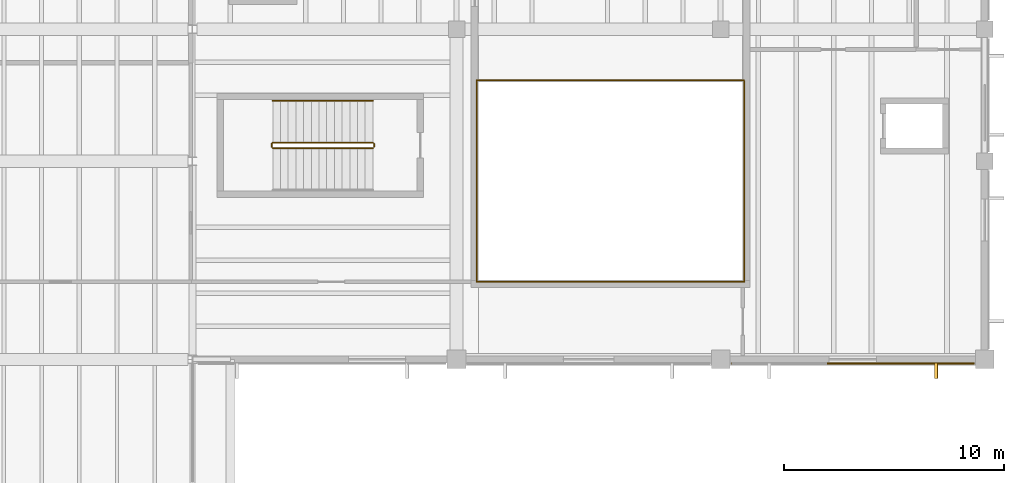
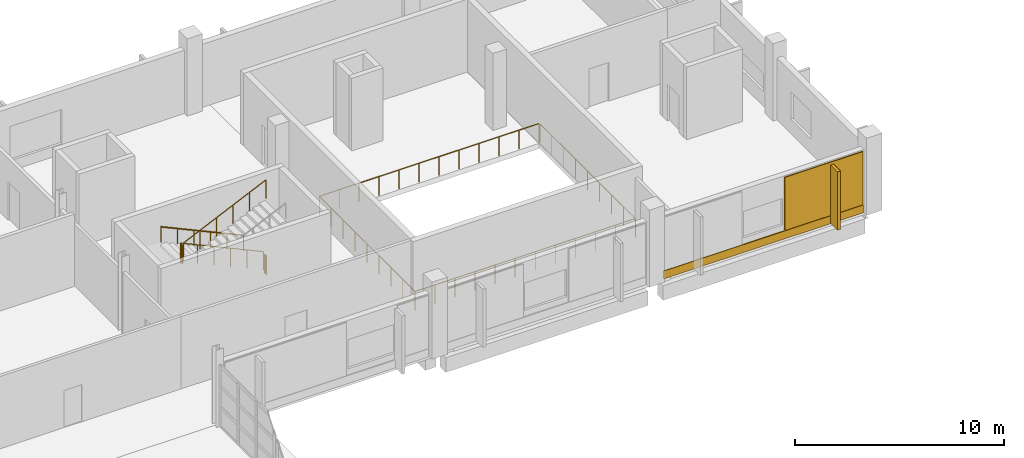
# One storey, part 113 of 114: 7 railings, 3 coverings, 1 shading device.
"""IFC4 building model written with IfcOpenShell, lengths in metres."""

import ifcopenshell
import ifcopenshell.guid

model = None  # the IFC model being written
_history = None  # IfcOwnerHistory: only IFC2X3 demands one
_inside = {}  # id of a spatial element -> (the spatial element, [elements in it])
_under = {}  # id of a project, library or spatial element -> (it, [spatial elements below it])
_declared = {}  # id of a project -> (the project, [libraries it declares])
_typed = {}  # id of a type object -> (the type object, [elements of that type])
_made_of = {}  # id of a material, layer set ... -> (it, [elements and type objects made of it])


def new_model(schema):
    """Start an empty IFC model of exactly this schema.

    Asked for "IFC4X3", IfcOpenShell would pick the latest addendum, in which some entities
    have other attributes; the version numbers below select the first issue.
    IFC2X3 requires an IfcOwnerHistory on every rooted entity: one is made here for all.
    """
    global model, _history
    if schema == "IFC4X3":
        model = ifcopenshell.file(schema_version=(4, 3, 0, 0))
    else:
        model = ifcopenshell.file(schema=schema)
    _inside.clear()
    _under.clear()
    _declared.clear()
    _typed.clear()
    _made_of.clear()
    _history = None
    if model.schema == "IFC2X3":
        org = make("IfcOrganization", Name="unknown")
        user = make(
            "IfcPersonAndOrganization",
            ThePerson=make("IfcPerson", FamilyName="unknown"),
            TheOrganization=org,
        )
        app = make(
            "IfcApplication",
            ApplicationDeveloper=org,
            Version="unknown",
            ApplicationFullName="unknown",
            ApplicationIdentifier="unknown",
        )
        _history = make(
            "IfcOwnerHistory",
            OwningUser=user,
            OwningApplication=app,
            ChangeAction="ADDED",
            CreationDate=0,
        )
    return model


def make(cls, **values):
    """One entity of the class cls with the attributes given. An attribute that is None is left unset."""
    return model.create_entity(
        cls, **{name: value for name, value in values.items() if value is not None}
    )


def rooted(cls, **values):
    """An entity with a GlobalId (a new one), such as an element, a storey or a relation."""
    return make(cls, GlobalId=ifcopenshell.guid.new(), OwnerHistory=_history, **values)


def si_unit(unit_type, name, prefix=None):
    """IfcSIUnit, for example si_unit("LENGTHUNIT", "METRE", prefix="MILLI")."""
    return make("IfcSIUnit", UnitType=unit_type, Prefix=prefix, Name=name)


def assignment(units):
    """IfcUnitAssignment: the units of a project."""
    return None if units is None else make("IfcUnitAssignment", Units=units)


def point(xyz):
    """IfcCartesianPoint."""
    return None if xyz is None else make("IfcCartesianPoint", Coordinates=xyz)


def direction(xyz):
    """IfcDirection."""
    return None if xyz is None else make("IfcDirection", DirectionRatios=xyz)


def frame(location, z_axis=None, x_axis=None):
    """IfcAxis2Placement3D, a coordinate frame: its origin and axes. An axis left out is left unset."""
    return make(
        "IfcAxis2Placement3D",
        Location=point(location),
        Axis=direction(z_axis),
        RefDirection=direction(x_axis),
    )


def frame_2d(location, x_axis=None):
    """IfcAxis2Placement2D, a coordinate frame in the plane: its origin and x axis."""
    return make(
        "IfcAxis2Placement2D", Location=point(location), RefDirection=direction(x_axis)
    )


def origin():
    """The frame at (0, 0, 0) with its axes left unset."""
    return frame((0.0, 0.0, 0.0))


def origin_2d():
    """The frame at (0, 0) in the plane with its x axis left unset."""
    return frame_2d((0.0, 0.0))


def place(relative_to, where):
    """IfcLocalPlacement: puts the frame where relative to a parent placement (None: the world)."""
    return make(
        "IfcLocalPlacement", PlacementRelTo=relative_to, RelativePlacement=where
    )


def context(
    kind, dimensions, precision=None, world=None, true_north=None, identifier=None
):
    """IfcGeometricRepresentationContext, for example the 3D "Model" context."""
    return make(
        "IfcGeometricRepresentationContext",
        ContextIdentifier=identifier,
        ContextType=kind,
        CoordinateSpaceDimension=dimensions,
        Precision=precision,
        WorldCoordinateSystem=world,
        TrueNorth=true_north,
    )


def subcontext(parent, identifier, kind, view, scale=None):
    """IfcGeometricRepresentationSubContext, for example "Body" below "Model"."""
    return make(
        "IfcGeometricRepresentationSubContext",
        ContextIdentifier=identifier,
        ContextType=kind,
        ParentContext=parent,
        TargetScale=scale,
        TargetView=view,
    )


def project(units=None, contexts=None):
    """IfcProject with its units and contexts."""
    return rooted(
        "IfcProject",
        Name="project",
        RepresentationContexts=contexts,
        UnitsInContext=assignment(units),
    )


def spatial(cls, under=None, at=None, **own):
    """A site, building, storey or space (cls), placed at a placement, below another one or the project."""
    s = rooted(cls, ObjectPlacement=at, **own)
    if under is not None:
        _under.setdefault(under.id(), (under, []))[1].append(s)
    return s


def profile(cls, at=None, kind="AREA", **sizes):
    """A parametric profile (cls). Its sizes go by their IFC names, for example OverallWidth=200.0."""
    return make(cls, ProfileType=kind, Position=at, **sizes)


def rectangle(**sizes):
    """IfcRectangleProfileDef."""
    return profile("IfcRectangleProfileDef", **sizes)


def circle(**sizes):
    """IfcCircleProfileDef."""
    return profile("IfcCircleProfileDef", **sizes)


def extrude(swept, where, along, depth):
    """IfcExtrudedAreaSolid: the profile swept, set in the frame where, extruded along a direction by depth."""
    return make(
        "IfcExtrudedAreaSolid",
        SweptArea=swept,
        Position=where,
        ExtrudedDirection=direction(along),
        Depth=depth,
    )


def shape(context_of_items, identifier, shape_type, items):
    """IfcShapeRepresentation: the items that make up one representation, for example the "Body"."""
    return make(
        "IfcShapeRepresentation",
        ContextOfItems=context_of_items,
        RepresentationIdentifier=identifier,
        RepresentationType=shape_type,
        Items=items,
    )


def material(Name=None, Category=None):
    """IfcMaterial."""
    return make("IfcMaterial", Name=Name, Category=Category)


def layer(
    of_material, thickness, ventilated=None, Name=None, Category=None, Priority=None
):
    """IfcMaterialLayer: one layer of a wall or slab, of a material (None: an air gap)."""
    return make(
        "IfcMaterialLayer",
        Material=of_material,
        LayerThickness=thickness,
        IsVentilated=ventilated,
        Name=Name,
        Category=Category,
        Priority=Priority,
    )


def layer_set(layers, Name=None):
    """IfcMaterialLayerSet."""
    return make("IfcMaterialLayerSet", MaterialLayers=layers, LayerSetName=Name)


def made_of(thing, what):
    """Note that an element or type object is made of a material, layer set ...; save() writes the relation."""
    if what is not None:
        _made_of.setdefault(what.id(), (what, []))[1].append(thing)
    return thing


def type_object(cls, material=None, **own):
    """A type object (cls), such as IfcWallType, which elements share."""
    return made_of(rooted(cls, **own), material)


def element(
    cls,
    number,
    at=None,
    inside=None,
    cuts=None,
    type_object=None,
    material=None,
    context=None,
    identifier="Body",
    shape_type=None,
    held_by="IfcProductDefinitionShape",
    body=None,
    shapes=None,
    **own,
):
    """One element of the class cls, such as IfcWall. Its Tag is "e" and its number.

    at: its placement. inside: the storey or other place that contains it. cuts: it is an
    opening in that element (IfcRelVoidsElement). A single representation is given by context,
    identifier, shape_type and body (its items); several are given by shapes. held_by: the class
    of the entity that holds the representations. save() writes the other relations.
    """
    e = rooted(cls, Tag="e%d" % number, ObjectPlacement=at, **own)
    if body is not None:
        shapes = [shape(context, identifier, shape_type, body)]
    if shapes is not None:
        e.Representation = make(held_by, Representations=shapes)
    if inside is not None:
        _inside.setdefault(inside.id(), (inside, []))[1].append(e)
    if cuts is not None:
        rooted(
            "IfcRelVoidsElement", RelatingBuildingElement=cuts, RelatedOpeningElement=e
        )
    if type_object is not None:
        _typed.setdefault(type_object.id(), (type_object, []))[1].append(e)
    return made_of(e, material)


def aggregate(whole, parts):
    """IfcRelAggregates: a whole, such as a stair, and the parts it consists of."""
    return rooted("IfcRelAggregates", RelatingObject=whole, RelatedObjects=parts)


def save(model, path):
    """Write the relations noted so far, then the file.

    IfcRelAggregates (storeys below a building ...), IfcRelContainedInSpatialStructure (elements
    in a storey), IfcRelDefinesByType, IfcRelAssociatesMaterial and IfcRelDeclares: one each for
    every whole, place, type object, material and project.
    """
    for whole, parts in _under.values():
        aggregate(whole, parts)
    for where, things in _inside.values():
        rooted(
            "IfcRelContainedInSpatialStructure",
            RelatedElements=things,
            RelatingStructure=where,
        )
    for kind, things in _typed.values():
        rooted("IfcRelDefinesByType", RelatedObjects=things, RelatingType=kind)
    for what, things in _made_of.values():
        rooted("IfcRelAssociatesMaterial", RelatedObjects=things, RelatingMaterial=what)
    for by, libraries in _declared.values():
        rooted("IfcRelDeclares", RelatingContext=by, RelatedDefinitions=libraries)
    model.write(path)


model = new_model("IFC4")

# Units and contexts
model_context = context("Model", 3, precision=1e-05, world=origin(), true_north=direction((0.0, 1.0)))
body_context = subcontext(model_context, "Body", "Model", "MODEL_VIEW")
ifc_project = project(units=[si_unit("LENGTHUNIT", "METRE"), si_unit("AREAUNIT", "SQUARE_METRE"), si_unit("VOLUMEUNIT", "CUBIC_METRE"), si_unit("PLANEANGLEUNIT", "RADIAN"), si_unit("MASSUNIT", "GRAM", prefix="KILO")], contexts=[model_context])

# Site, building, storey
site_placement = place(None, origin())
site = spatial("IfcSite", under=ifc_project, at=site_placement, CompositionType="ELEMENT")
building_placement = place(site_placement, origin())
building = spatial("IfcBuilding", under=site, at=building_placement, Name="Kelmvaro Bay Concert Hall", CompositionType="ELEMENT")
storey_placement = place(building_placement, frame((0.0, 0.0, 4.800048828125)))
storey = spatial("IfcBuildingStorey", under=building, at=storey_placement, Name="L01", CompositionType="ELEMENT", Elevation=4.800048828125)

# Railings
ifc_material_1 = material(Name="Architectural Bronze and Laminated Glass", Category="glass")
railing_type_1 = type_object("IfcRailingType", Name="Auditorium Balcony Acoustic Brass Guard 1120", PredefinedType="BALUSTRADE", material=ifc_material_1)
railing_1_placement = place(storey_placement, frame((144.919921875, 77.320068359375, 0.0)))
element("IfcRailing", 1, at=railing_1_placement, inside=storey, type_object=railing_type_1, Name="L01 Balcony Guard 014", PredefinedType="BALUSTRADE", context=body_context, shape_type="SweptSolid", body=[
    extrude(circle(Radius=0.02392578125, at=origin_2d()), frame((0.0, 0.0, 1.09619140625), z_axis=(1.0, 0.0, 0.0), x_axis=(0.0, 1.0, 0.0)), (0.0, 0.0, 1.0), 12.16015625),
    extrude(circle(Radius=0.02392578125, at=origin_2d()), frame((12.16015625, 0.0, 1.09619140625), z_axis=(0.0, 1.0, 0.0), x_axis=(-1.0, 0.0, 0.0)), (0.0, 0.0, 1.0), 9.1298828125),
    extrude(circle(Radius=0.02099609375, at=origin_2d()), origin(), (0.0, 0.0, 1.0), 1.072021484375),
    extrude(circle(Radius=0.02099609375, at=origin_2d()), frame((1.10546875, 0.0, 0.0)), (0.0, 0.0, 1.0), 1.072021484375),
    extrude(circle(Radius=0.02099609375, at=origin_2d()), frame((2.2109375, 0.0, 0.0)), (0.0, 0.0, 1.0), 1.072021484375),
    extrude(circle(Radius=0.02099609375, at=origin_2d()), frame((3.31640625, 0.0, 0.0)), (0.0, 0.0, 1.0), 1.072021484375),
    extrude(circle(Radius=0.02099609375, at=origin_2d()), frame((4.421875, 0.0, 0.0)), (0.0, 0.0, 1.0), 1.072021484375),
    extrude(circle(Radius=0.02099609375, at=origin_2d()), frame((5.52734375, 0.0, 0.0)), (0.0, 0.0, 1.0), 1.072021484375),
    extrude(circle(Radius=0.02099609375, at=origin_2d()), frame((6.6328125, 0.0, 0.0)), (0.0, 0.0, 1.0), 1.072021484375),
    extrude(circle(Radius=0.02099609375, at=origin_2d()), frame((7.73828125, 0.0, 0.0)), (0.0, 0.0, 1.0), 1.072021484375),
    extrude(circle(Radius=0.02099609375, at=origin_2d()), frame((8.84375, 0.0, 0.0)), (0.0, 0.0, 1.0), 1.072021484375),
    extrude(circle(Radius=0.02099609375, at=origin_2d()), frame((9.94921875, 0.0, 0.0)), (0.0, 0.0, 1.0), 1.072021484375),
    extrude(circle(Radius=0.02099609375, at=origin_2d()), frame((11.0546875, 0.0, 0.0)), (0.0, 0.0, 1.0), 1.072021484375),
    extrude(circle(Radius=0.02099609375, at=origin_2d()), frame((12.16015625, 0.0, 0.0)), (0.0, 0.0, 1.0), 1.072021484375),
    extrude(circle(Radius=0.02099609375, at=origin_2d()), frame((12.16015625, 1.14111328125, 0.0)), (0.0, 0.0, 1.0), 1.072021484375),
    extrude(circle(Radius=0.02099609375, at=origin_2d()), frame((12.16015625, 2.282470703125, 0.0)), (0.0, 0.0, 1.0), 1.072021484375),
    extrude(circle(Radius=0.02099609375, at=origin_2d()), frame((12.16015625, 3.423828125, 0.0)), (0.0, 0.0, 1.0), 1.072021484375),
    extrude(circle(Radius=0.02099609375, at=origin_2d()), frame((12.16015625, 4.56494140625, 0.0)), (0.0, 0.0, 1.0), 1.072021484375),
    extrude(circle(Radius=0.02099609375, at=origin_2d()), frame((12.16015625, 5.7060546875, 0.0)), (0.0, 0.0, 1.0), 1.072021484375),
    extrude(circle(Radius=0.02099609375, at=origin_2d()), frame((12.16015625, 6.847412109375, 0.0)), (0.0, 0.0, 1.0), 1.072021484375),
    extrude(circle(Radius=0.02099609375, at=origin_2d()), frame((12.16015625, 7.98876953125, 0.0)), (0.0, 0.0, 1.0), 1.072021484375),
    extrude(circle(Radius=0.02099609375, at=origin_2d()), frame((12.16015625, 9.1298828125, 0.0)), (0.0, 0.0, 1.0), 1.072021484375),
])
railing_2_placement = place(storey_placement, frame((157.050048828125, 86.47998046875, 0.0)))
element("IfcRailing", 2, at=railing_2_placement, inside=storey, type_object=railing_type_1, Name="L01 Balcony Guard 015", PredefinedType="BALUSTRADE", context=body_context, shape_type="SweptSolid", body=[
    extrude(circle(Radius=0.02392578125, at=origin_2d()), frame((0.0, 0.0, 1.09619140625), z_axis=(-1.0, 0.0, 0.0), x_axis=(0.0, -1.0, 0.0)), (0.0, 0.0, 1.0), 12.130126953125),
    extrude(circle(Radius=0.02392578125, at=origin_2d()), frame((-12.130126953125, 0.0, 1.09619140625), z_axis=(0.0, -1.0, 0.0), x_axis=(1.0, 0.0, 0.0)), (0.0, 0.0, 1.0), 9.1298828125),
    extrude(circle(Radius=0.02099609375, at=origin_2d()), origin(), (0.0, 0.0, 1.0), 1.072021484375),
    extrude(circle(Radius=0.02099609375, at=origin_2d()), frame((-1.102783203125, 0.0, 0.0)), (0.0, 0.0, 1.0), 1.072021484375),
    extrude(circle(Radius=0.02099609375, at=origin_2d()), frame((-2.20556640625, 0.0, 0.0)), (0.0, 0.0, 1.0), 1.072021484375),
    extrude(circle(Radius=0.02099609375, at=origin_2d()), frame((-3.30810546875, 0.0, 0.0)), (0.0, 0.0, 1.0), 1.072021484375),
    extrude(circle(Radius=0.02099609375, at=origin_2d()), frame((-4.410888671875, 0.0, 0.0)), (0.0, 0.0, 1.0), 1.072021484375),
    extrude(circle(Radius=0.02099609375, at=origin_2d()), frame((-5.513671875, 0.0, 0.0)), (0.0, 0.0, 1.0), 1.072021484375),
    extrude(circle(Radius=0.02099609375, at=origin_2d()), frame((-6.616455078125, 0.0, 0.0)), (0.0, 0.0, 1.0), 1.072021484375),
    extrude(circle(Radius=0.02099609375, at=origin_2d()), frame((-7.71923828125, 0.0, 0.0)), (0.0, 0.0, 1.0), 1.072021484375),
    extrude(circle(Radius=0.02099609375, at=origin_2d()), frame((-8.822021484375, 0.0, 0.0)), (0.0, 0.0, 1.0), 1.072021484375),
    extrude(circle(Radius=0.02099609375, at=origin_2d()), frame((-9.924560546875, 0.0, 0.0)), (0.0, 0.0, 1.0), 1.072021484375),
    extrude(circle(Radius=0.02099609375, at=origin_2d()), frame((-11.02734375, 0.0, 0.0)), (0.0, 0.0, 1.0), 1.072021484375),
    extrude(circle(Radius=0.02099609375, at=origin_2d()), frame((-12.130126953125, 0.0, 0.0)), (0.0, 0.0, 1.0), 1.072021484375),
    extrude(circle(Radius=0.02099609375, at=origin_2d()), frame((-12.130126953125, -1.14111328125, 0.0)), (0.0, 0.0, 1.0), 1.072021484375),
    extrude(circle(Radius=0.02099609375, at=origin_2d()), frame((-12.130126953125, -2.282470703125, 0.0)), (0.0, 0.0, 1.0), 1.072021484375),
    extrude(circle(Radius=0.02099609375, at=origin_2d()), frame((-12.130126953125, -3.423828125, 0.0)), (0.0, 0.0, 1.0), 1.072021484375),
    extrude(circle(Radius=0.02099609375, at=origin_2d()), frame((-12.130126953125, -4.56494140625, 0.0)), (0.0, 0.0, 1.0), 1.072021484375),
    extrude(circle(Radius=0.02099609375, at=origin_2d()), frame((-12.130126953125, -5.7060546875, 0.0)), (0.0, 0.0, 1.0), 1.072021484375),
    extrude(circle(Radius=0.02099609375, at=origin_2d()), frame((-12.130126953125, -6.847412109375, 0.0)), (0.0, 0.0, 1.0), 1.072021484375),
    extrude(circle(Radius=0.02099609375, at=origin_2d()), frame((-12.130126953125, -7.98876953125, 0.0)), (0.0, 0.0, 1.0), 1.072021484375),
    extrude(circle(Radius=0.02099609375, at=origin_2d()), frame((-12.130126953125, -9.1298828125, 0.0)), (0.0, 0.0, 1.0), 1.072021484375),
])

# Shading device
ifc_material_2 = material(Name="Anodised Extruded Aluminium 6063-T6", Category="aluminium")
ifc_layer_1 = layer(ifc_material_2, 3.39990234375)
ifc_layer_set_1 = layer_set([ifc_layer_1], Name="Anodised Extruded Aluminium 6063-T6")
shading_device_type = type_object("IfcShadingDeviceType", Name="Bauhaus Vertical Solar Brise-Soleil Fin 720x3400", PredefinedType="SHUTTER", material=ifc_layer_set_1)
shading_device_placement = place(storey_placement, frame((165.791015625, 73.283935546875, 0.06005859375), z_axis=(0.0, 0.0, 1.0), x_axis=(-1.0, 0.0, 0.0)))
element("IfcShadingDevice", 3, at=shading_device_placement, inside=storey, type_object=shading_device_type, Name="L01 Solar Brise-Soleil Fin 049", PredefinedType="SHUTTER", context=body_context, shape_type="SweptSolid", body=[
    extrude(rectangle(XDim=0.159912109375, YDim=0.719970703125, at=origin_2d()), origin(), (0.0, 0.0, 1.0), 3.39990234375),
])

# Coverings
ifc_material_3 = material(Name="PVDF-Coated Architectural Aluminium", Category="aluminium")
ifc_layer_2 = layer(ifc_material_3, 0.0400390625)
ifc_layer_set_2 = layer_set([ifc_layer_2], Name="PVDF-Coated Architectural Aluminium")
covering_type_1 = type_object("IfcCoveringType", Name="De Stijl Enamelled Aluminium Fascia Panel 40", PredefinedType="CLADDING", material=ifc_layer_set_2)
covering_1_placement = place(storey_placement, frame((165.791015625, 73.283935546875, 0.06005859375), z_axis=(0.0, 0.0, 1.0), x_axis=(-1.0, 0.0, 0.0)))
element("IfcCovering", 4, at=covering_1_placement, inside=storey, type_object=covering_type_1, Name="L01 Architectural Vertical Fin Cladding 0329", PredefinedType="CLADDING", context=body_context, shape_type="SweptSolid", body=[
    extrude(rectangle(XDim=0.139892578125, YDim=0.699951171875, at=origin_2d()), origin(), (0.0, 0.0, 1.0), 3.39990234375),
])
ifc_material_4 = material(Name="Honed Florida Limestone Travertine", Category="masonry")
ifc_layer_3 = layer(ifc_material_4, 0.054931640625)
ifc_layer_set_3 = layer_set([ifc_layer_3], Name="Honed Florida Limestone Travertine")
covering_type_2 = type_object("IfcCoveringType", Name="Honed Florida Travertine Rainscreen Cladding 55", PredefinedType="CLADDING", material=ifc_layer_set_3)
covering_2_placement = place(storey_placement, frame((162.0, 73.614501953125, 0.0400390625), z_axis=(0.0, 0.0, 1.0), x_axis=(-1.0, 0.0, 0.0)))
element("IfcCovering", 5, at=covering_2_placement, inside=storey, type_object=covering_type_2, Name="L01 Travertine Sill Band 0328", PredefinedType="CLADDING", context=body_context, shape_type="SweptSolid", body=[
    extrude(rectangle(XDim=11.030029296875, YDim=0.054931640625, at=origin_2d()), origin(), (0.0, 0.0, 1.0), 0.4599609375),
])
covering_3_placement = place(storey_placement, frame((165.3349609375, 73.614501953125, 0.52001953125), z_axis=(0.0, 0.0, 1.0), x_axis=(-1.0, 0.0, 0.0)))
element("IfcCovering", 6, at=covering_3_placement, inside=storey, type_object=covering_type_2, Name="L01 Travertine Pier Panel 0331", PredefinedType="CLADDING", context=body_context, shape_type="SweptSolid", body=[
    extrude(rectangle(XDim=4.320068359375, YDim=0.054931640625, at=origin_2d()), origin(), (0.0, 0.0, 1.0), 3.10400390625),
])

# Railings
ifc_material_5 = material(Name="Brushed Stainless Steel 316", Category="steel")
railing_type_2 = type_object("IfcRailingType", Name="Stair Stainless Wall Handrail 900", PredefinedType="HANDRAIL", material=ifc_material_5)
railing_3_placement = place(storey_placement, frame((140.199951171875, 85.550048828125, 0.16064453125)))
element("IfcRailing", 7, at=railing_3_placement, inside=storey, type_object=railing_type_2, Name="L01 ST-07 stair handrail 1", PredefinedType="HANDRAIL", context=body_context, shape_type="SweptSolid", body=[
    extrude(circle(Radius=0.02392578125, at=origin_2d()), frame((0.0, 0.0, 0.8759765625), z_axis=(-0.908768316152, 0.0, 0.417301027506), x_axis=(0.0, -1.0, 0.0)), (0.0, 0.0, 1.0), 5.0068359375),
    extrude(circle(Radius=0.02099609375, at=origin_2d()), origin(), (0.0, 0.0, 1.0), 0.851806640625),
    extrude(circle(Radius=0.02099609375, at=origin_2d()), frame((-0.909912109375, 0.0, 0.41796875)), (0.0, 0.0, 1.0), 0.851806640625),
    extrude(circle(Radius=0.02099609375, at=origin_2d()), frame((-1.820068359375, 0.0, 0.835693359375)), (0.0, 0.0, 1.0), 0.851806640625),
    extrude(circle(Radius=0.02099609375, at=origin_2d()), frame((-2.72998046875, 0.0, 1.253662109375)), (0.0, 0.0, 1.0), 0.851806640625),
    extrude(circle(Radius=0.02099609375, at=origin_2d()), frame((-3.64013671875, 0.0, 1.67138671875)), (0.0, 0.0, 1.0), 0.851806640625),
    extrude(circle(Radius=0.02099609375, at=origin_2d()), frame((-4.550048828125, 0.0, 2.08935546875)), (0.0, 0.0, 1.0), 0.851806640625),
])
ifc_material_6 = material(Name="Powder-Coated Steel ASTM A500", Category="steel")
railing_type_3 = type_object("IfcRailingType", Name="Stair Well Painted Steel Guard 1100", PredefinedType="BALUSTRADE", material=ifc_material_6)
railing_4_placement = place(storey_placement, frame((140.199951171875, 83.64990234375, 0.16064453125)))
element("IfcRailing", 8, at=railing_4_placement, inside=storey, type_object=railing_type_3, Name="L01 ST-07 stair guard 1", PredefinedType="BALUSTRADE", context=body_context, shape_type="SweptSolid", body=[
    extrude(circle(Radius=0.02392578125, at=origin_2d()), frame((0.0, 0.0, 1.076171875), z_axis=(-0.908768316152, 0.0, 0.417301027506), x_axis=(0.0, -1.0, 0.0)), (0.0, 0.0, 1.0), 5.0068359375),
    extrude(circle(Radius=0.02099609375, at=origin_2d()), origin(), (0.0, 0.0, 1.0), 1.052001953125),
    extrude(circle(Radius=0.02099609375, at=origin_2d()), frame((-0.909912109375, 0.0, 0.41796875)), (0.0, 0.0, 1.0), 1.052001953125),
    extrude(circle(Radius=0.02099609375, at=origin_2d()), frame((-1.820068359375, 0.0, 0.835693359375)), (0.0, 0.0, 1.0), 1.052001953125),
    extrude(circle(Radius=0.02099609375, at=origin_2d()), frame((-2.72998046875, 0.0, 1.253662109375)), (0.0, 0.0, 1.0), 1.052001953125),
    extrude(circle(Radius=0.02099609375, at=origin_2d()), frame((-3.64013671875, 0.0, 1.67138671875)), (0.0, 0.0, 1.0), 1.052001953125),
    extrude(circle(Radius=0.02099609375, at=origin_2d()), frame((-4.550048828125, 0.0, 2.08935546875)), (0.0, 0.0, 1.0), 1.052001953125),
])
railing_5_placement = place(storey_placement, frame((135.60009765625, 83.60009765625, 2.25)))
element("IfcRailing", 9, at=railing_5_placement, inside=storey, type_object=railing_type_3, Name="L01 ST-07 stair guard 2", PredefinedType="BALUSTRADE", context=body_context, shape_type="SweptSolid", body=[
    extrude(circle(Radius=0.02392578125, at=origin_2d()), frame((0.0, 0.0, 1.076171875), z_axis=(0.0, -1.0, 0.0), x_axis=(1.0, 0.0, 0.0)), (0.0, 0.0, 1.0), 0.150146484375),
    extrude(circle(Radius=0.02099609375, at=origin_2d()), origin(), (0.0, 0.0, 1.0), 1.052001953125),
    extrude(circle(Radius=0.02099609375, at=origin_2d()), frame((0.0, -0.150146484375, 0.0)), (0.0, 0.0, 1.0), 1.052001953125),
])
railing_6_placement = place(storey_placement, frame((135.64990234375, 83.39990234375, 2.41064453125)))
element("IfcRailing", 10, at=railing_6_placement, inside=storey, type_object=railing_type_3, Name="L01 ST-07 stair guard 3", PredefinedType="BALUSTRADE", context=body_context, shape_type="SweptSolid", body=[
    extrude(circle(Radius=0.02392578125, at=origin_2d()), frame((0.0, 0.0, 1.076171875), z_axis=(0.908768316152, 0.0, 0.417301027506), x_axis=(0.0, 1.0, 0.0)), (0.0, 0.0, 1.0), 5.0068359375),
    extrude(circle(Radius=0.02099609375, at=origin_2d()), origin(), (0.0, 0.0, 1.0), 1.052001953125),
    extrude(circle(Radius=0.02099609375, at=origin_2d()), frame((0.909912109375, 0.0, 0.41796875)), (0.0, 0.0, 1.0), 1.052001953125),
    extrude(circle(Radius=0.02099609375, at=origin_2d()), frame((1.820068359375, 0.0, 0.835693359375)), (0.0, 0.0, 1.0), 1.052001953125),
    extrude(circle(Radius=0.02099609375, at=origin_2d()), frame((2.72998046875, 0.0, 1.253662109375)), (0.0, 0.0, 1.0), 1.052001953125),
    extrude(circle(Radius=0.02099609375, at=origin_2d()), frame((3.64013671875, 0.0, 1.67138671875)), (0.0, 0.0, 1.0), 1.052001953125),
    extrude(circle(Radius=0.02099609375, at=origin_2d()), frame((4.550048828125, 0.0, 2.08935546875)), (0.0, 0.0, 1.0), 1.052001953125),
])
railing_7_placement = place(storey_placement, frame((140.25, 83.60009765625, 0.0)))
element("IfcRailing", 11, at=railing_7_placement, inside=storey, type_object=railing_type_3, Name="L01 ST-07 stair guard 4", PredefinedType="BALUSTRADE", context=body_context, shape_type="SweptSolid", body=[
    extrude(circle(Radius=0.02392578125, at=origin_2d()), frame((0.0, 0.0, 1.076171875), z_axis=(0.0, -1.0, 0.0), x_axis=(1.0, 0.0, 0.0)), (0.0, 0.0, 1.0), 0.150146484375),
    extrude(circle(Radius=0.02099609375, at=origin_2d()), origin(), (0.0, 0.0, 1.0), 1.052001953125),
    extrude(circle(Radius=0.02099609375, at=origin_2d()), frame((0.0, -0.150146484375, 0.0)), (0.0, 0.0, 1.0), 1.052001953125),
])

save(model, "model.ifc")
